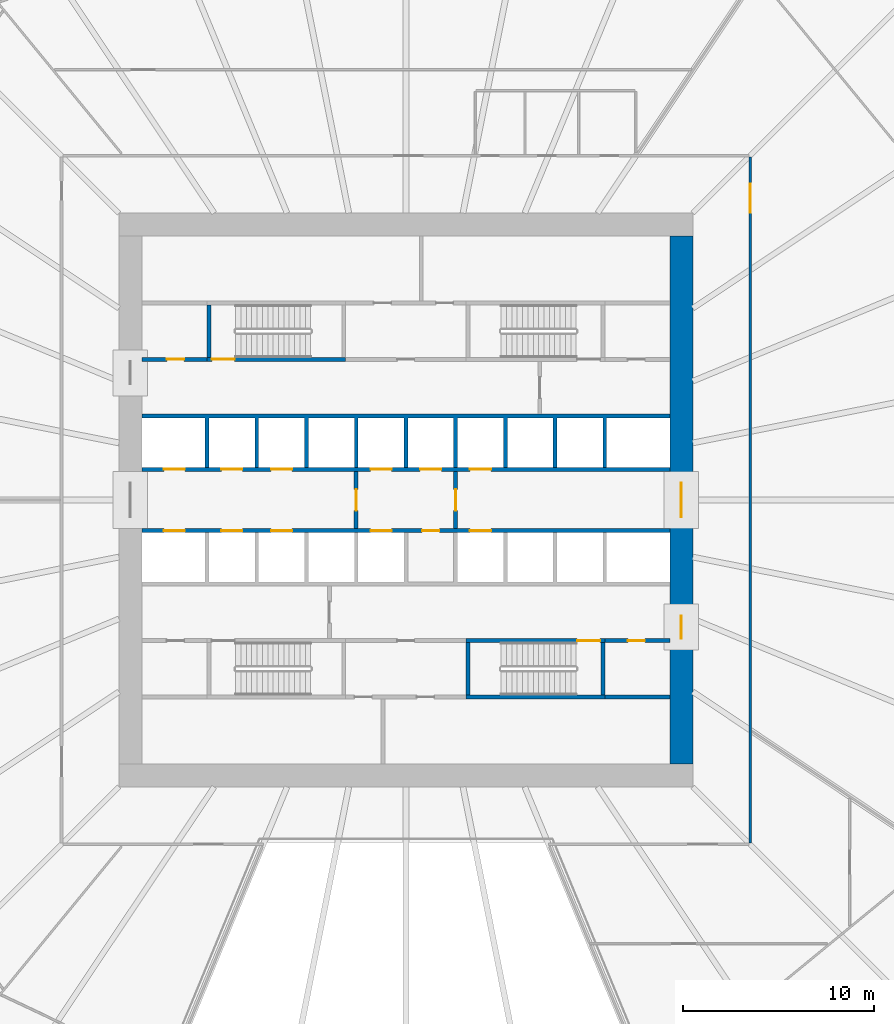
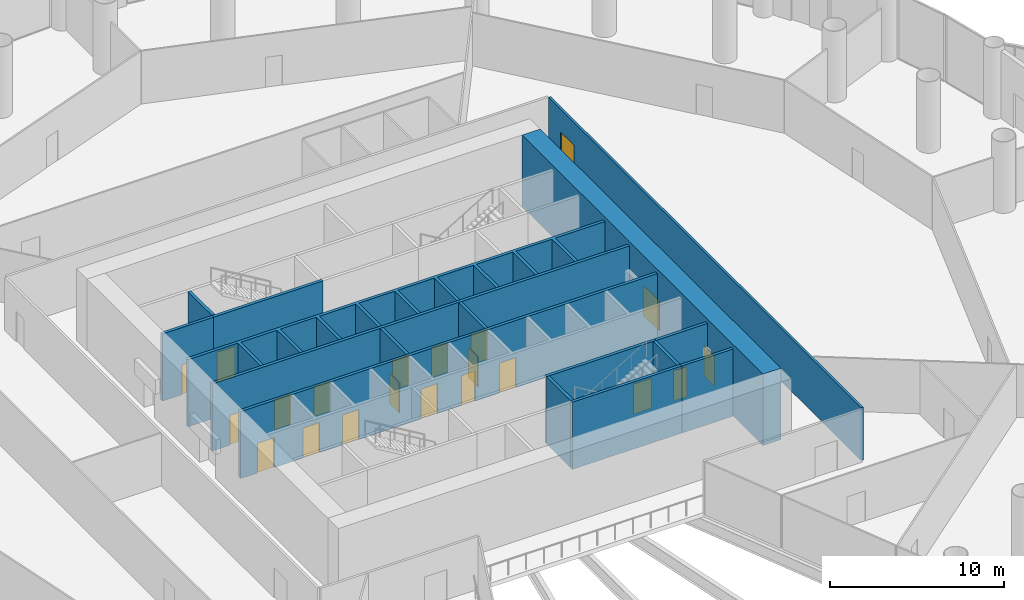
# One storey, part 25 of 36: 21 doors, 16 walls, 21 openings.
"""IFC4 building model written with IfcOpenShell, lengths in metres."""

import ifcopenshell
import ifcopenshell.guid

model = None  # the IFC model being written
_history = None  # IfcOwnerHistory: only IFC2X3 demands one
_inside = {}  # id of a spatial element -> (the spatial element, [elements in it])
_under = {}  # id of a project, library or spatial element -> (it, [spatial elements below it])
_declared = {}  # id of a project -> (the project, [libraries it declares])
_typed = {}  # id of a type object -> (the type object, [elements of that type])
_made_of = {}  # id of a material, layer set ... -> (it, [elements and type objects made of it])


def new_model(schema):
    """Start an empty IFC model of exactly this schema.

    Asked for "IFC4X3", IfcOpenShell would pick the latest addendum, in which some entities
    have other attributes; the version numbers below select the first issue.
    IFC2X3 requires an IfcOwnerHistory on every rooted entity: one is made here for all.
    """
    global model, _history
    if schema == "IFC4X3":
        model = ifcopenshell.file(schema_version=(4, 3, 0, 0))
    else:
        model = ifcopenshell.file(schema=schema)
    _inside.clear()
    _under.clear()
    _declared.clear()
    _typed.clear()
    _made_of.clear()
    _history = None
    if model.schema == "IFC2X3":
        org = make("IfcOrganization", Name="unknown")
        user = make(
            "IfcPersonAndOrganization",
            ThePerson=make("IfcPerson", FamilyName="unknown"),
            TheOrganization=org,
        )
        app = make(
            "IfcApplication",
            ApplicationDeveloper=org,
            Version="unknown",
            ApplicationFullName="unknown",
            ApplicationIdentifier="unknown",
        )
        _history = make(
            "IfcOwnerHistory",
            OwningUser=user,
            OwningApplication=app,
            ChangeAction="ADDED",
            CreationDate=0,
        )
    return model


def make(cls, **values):
    """One entity of the class cls with the attributes given. An attribute that is None is left unset."""
    return model.create_entity(
        cls, **{name: value for name, value in values.items() if value is not None}
    )


def rooted(cls, **values):
    """An entity with a GlobalId (a new one), such as an element, a storey or a relation."""
    return make(cls, GlobalId=ifcopenshell.guid.new(), OwnerHistory=_history, **values)


def si_unit(unit_type, name, prefix=None):
    """IfcSIUnit, for example si_unit("LENGTHUNIT", "METRE", prefix="MILLI")."""
    return make("IfcSIUnit", UnitType=unit_type, Prefix=prefix, Name=name)


def assignment(units):
    """IfcUnitAssignment: the units of a project."""
    return None if units is None else make("IfcUnitAssignment", Units=units)


def point(xyz):
    """IfcCartesianPoint."""
    return None if xyz is None else make("IfcCartesianPoint", Coordinates=xyz)


def direction(xyz):
    """IfcDirection."""
    return None if xyz is None else make("IfcDirection", DirectionRatios=xyz)


def frame(location, z_axis=None, x_axis=None):
    """IfcAxis2Placement3D, a coordinate frame: its origin and axes. An axis left out is left unset."""
    return make(
        "IfcAxis2Placement3D",
        Location=point(location),
        Axis=direction(z_axis),
        RefDirection=direction(x_axis),
    )


def frame_2d(location, x_axis=None):
    """IfcAxis2Placement2D, a coordinate frame in the plane: its origin and x axis."""
    return make(
        "IfcAxis2Placement2D", Location=point(location), RefDirection=direction(x_axis)
    )


def origin():
    """The frame at (0, 0, 0) with its axes left unset."""
    return frame((0.0, 0.0, 0.0))


def place(relative_to, where):
    """IfcLocalPlacement: puts the frame where relative to a parent placement (None: the world)."""
    return make(
        "IfcLocalPlacement", PlacementRelTo=relative_to, RelativePlacement=where
    )


def context(
    kind, dimensions, precision=None, world=None, true_north=None, identifier=None
):
    """IfcGeometricRepresentationContext, for example the 3D "Model" context."""
    return make(
        "IfcGeometricRepresentationContext",
        ContextIdentifier=identifier,
        ContextType=kind,
        CoordinateSpaceDimension=dimensions,
        Precision=precision,
        WorldCoordinateSystem=world,
        TrueNorth=true_north,
    )


def subcontext(parent, identifier, kind, view, scale=None):
    """IfcGeometricRepresentationSubContext, for example "Body" below "Model"."""
    return make(
        "IfcGeometricRepresentationSubContext",
        ContextIdentifier=identifier,
        ContextType=kind,
        ParentContext=parent,
        TargetScale=scale,
        TargetView=view,
    )


def project(units=None, contexts=None):
    """IfcProject with its units and contexts."""
    return rooted(
        "IfcProject",
        Name="project",
        RepresentationContexts=contexts,
        UnitsInContext=assignment(units),
    )


def spatial(cls, under=None, at=None, **own):
    """A site, building, storey or space (cls), placed at a placement, below another one or the project."""
    s = rooted(cls, ObjectPlacement=at, **own)
    if under is not None:
        _under.setdefault(under.id(), (under, []))[1].append(s)
    return s


def polyline(points):
    """IfcPolyline through the points."""
    return make("IfcPolyline", Points=[point(p) for p in points])


def profile(cls, at=None, kind="AREA", **sizes):
    """A parametric profile (cls). Its sizes go by their IFC names, for example OverallWidth=200.0."""
    return make(cls, ProfileType=kind, Position=at, **sizes)


def rectangle(**sizes):
    """IfcRectangleProfileDef."""
    return profile("IfcRectangleProfileDef", **sizes)


def outline(outer, holes=None, kind="AREA"):
    """IfcArbitraryClosedProfileDef: a profile drawn as a closed curve; with holes, ...WithVoids."""
    if holes is None:
        return make("IfcArbitraryClosedProfileDef", ProfileType=kind, OuterCurve=outer)
    return make(
        "IfcArbitraryProfileDefWithVoids",
        ProfileType=kind,
        OuterCurve=outer,
        InnerCurves=holes,
    )


def extrude(swept, where, along, depth):
    """IfcExtrudedAreaSolid: the profile swept, set in the frame where, extruded along a direction by depth."""
    return make(
        "IfcExtrudedAreaSolid",
        SweptArea=swept,
        Position=where,
        ExtrudedDirection=direction(along),
        Depth=depth,
    )


def shape(context_of_items, identifier, shape_type, items):
    """IfcShapeRepresentation: the items that make up one representation, for example the "Body"."""
    return make(
        "IfcShapeRepresentation",
        ContextOfItems=context_of_items,
        RepresentationIdentifier=identifier,
        RepresentationType=shape_type,
        Items=items,
    )


def material(Name=None, Category=None):
    """IfcMaterial."""
    return make("IfcMaterial", Name=Name, Category=Category)


def layer(
    of_material, thickness, ventilated=None, Name=None, Category=None, Priority=None
):
    """IfcMaterialLayer: one layer of a wall or slab, of a material (None: an air gap)."""
    return make(
        "IfcMaterialLayer",
        Material=of_material,
        LayerThickness=thickness,
        IsVentilated=ventilated,
        Name=Name,
        Category=Category,
        Priority=Priority,
    )


def layer_set(layers, Name=None):
    """IfcMaterialLayerSet."""
    return make("IfcMaterialLayerSet", MaterialLayers=layers, LayerSetName=Name)


def made_of(thing, what):
    """Note that an element or type object is made of a material, layer set ...; save() writes the relation."""
    if what is not None:
        _made_of.setdefault(what.id(), (what, []))[1].append(thing)
    return thing


def type_object(cls, material=None, **own):
    """A type object (cls), such as IfcWallType, which elements share."""
    return made_of(rooted(cls, **own), material)


def element(
    cls,
    number,
    at=None,
    inside=None,
    cuts=None,
    type_object=None,
    material=None,
    context=None,
    identifier="Body",
    shape_type=None,
    held_by="IfcProductDefinitionShape",
    body=None,
    shapes=None,
    **own,
):
    """One element of the class cls, such as IfcWall. Its Tag is "e" and its number.

    at: its placement. inside: the storey or other place that contains it. cuts: it is an
    opening in that element (IfcRelVoidsElement). A single representation is given by context,
    identifier, shape_type and body (its items); several are given by shapes. held_by: the class
    of the entity that holds the representations. save() writes the other relations.
    """
    e = rooted(cls, Tag="e%d" % number, ObjectPlacement=at, **own)
    if body is not None:
        shapes = [shape(context, identifier, shape_type, body)]
    if shapes is not None:
        e.Representation = make(held_by, Representations=shapes)
    if inside is not None:
        _inside.setdefault(inside.id(), (inside, []))[1].append(e)
    if cuts is not None:
        rooted(
            "IfcRelVoidsElement", RelatingBuildingElement=cuts, RelatedOpeningElement=e
        )
    if type_object is not None:
        _typed.setdefault(type_object.id(), (type_object, []))[1].append(e)
    return made_of(e, material)


def fill(opening, filler):
    """IfcRelFillsElement: the door or window that sits in an opening."""
    return rooted(
        "IfcRelFillsElement",
        RelatingOpeningElement=opening,
        RelatedBuildingElement=filler,
    )


def aggregate(whole, parts):
    """IfcRelAggregates: a whole, such as a stair, and the parts it consists of."""
    return rooted("IfcRelAggregates", RelatingObject=whole, RelatedObjects=parts)


def save(model, path):
    """Write the relations noted so far, then the file.

    IfcRelAggregates (storeys below a building ...), IfcRelContainedInSpatialStructure (elements
    in a storey), IfcRelDefinesByType, IfcRelAssociatesMaterial and IfcRelDeclares: one each for
    every whole, place, type object, material and project.
    """
    for whole, parts in _under.values():
        aggregate(whole, parts)
    for where, things in _inside.values():
        rooted(
            "IfcRelContainedInSpatialStructure",
            RelatedElements=things,
            RelatingStructure=where,
        )
    for kind, things in _typed.values():
        rooted("IfcRelDefinesByType", RelatedObjects=things, RelatingType=kind)
    for what, things in _made_of.values():
        rooted("IfcRelAssociatesMaterial", RelatedObjects=things, RelatingMaterial=what)
    for by, libraries in _declared.values():
        rooted("IfcRelDeclares", RelatingContext=by, RelatedDefinitions=libraries)
    model.write(path)


model = new_model("IFC4")

# Units and contexts
model_context = context("Model", 3, precision=1e-05, world=origin(), true_north=direction((0.0, 1.0)))
body_context = subcontext(model_context, "Body", "Model", "MODEL_VIEW")
ifc_project = project(units=[si_unit("LENGTHUNIT", "METRE"), si_unit("AREAUNIT", "SQUARE_METRE"), si_unit("VOLUMEUNIT", "CUBIC_METRE"), si_unit("PLANEANGLEUNIT", "RADIAN"), si_unit("MASSUNIT", "GRAM", prefix="KILO")], contexts=[model_context])

# Site, building, storey
site_placement = place(None, origin())
site = spatial("IfcSite", under=ifc_project, at=site_placement, CompositionType="ELEMENT")
building_placement = place(site_placement, origin())
building = spatial("IfcBuilding", under=site, at=building_placement, Name="Corvane Civic Tower", CompositionType="ELEMENT")
storey_placement = place(building_placement, frame((0.0, 0.0, 17.0)))
storey = spatial("IfcBuildingStorey", under=building, at=storey_placement, Name="L03", CompositionType="ELEMENT", Elevation=17.0)

# Wall, openings, doors
ifc_material_1 = material(Name="Concrete C80/95", Category="concrete")
ifc_layer_1 = layer(ifc_material_1, 1.199951171875)
ifc_layer_set_1 = layer_set([ifc_layer_1], Name="Concrete C80/95")
wall_type_1 = type_object("IfcWallType", Name="CORE WALL 1200 C80/95", PredefinedType="SHEAR", material=ifc_layer_set_1)
wall_1_placement = place(storey_placement, frame((14.39990234375, -13.800048828125, 0.0), z_axis=(0.0, 0.0, 1.0), x_axis=(0.0, 1.0, 0.0)))
wall_1 = element("IfcWall", 1, at=wall_1_placement, inside=storey, type_object=wall_type_1, Name="W-L03-core-E", PredefinedType="SHEAR", context=body_context, shape_type="SweptSolid", body=[
    extrude(rectangle(XDim=27.60009765625, YDim=1.199951171875, at=frame_2d((13.800048828125, 0.0))), origin(), (0.0, 0.0, 1.0), 5.0),
])
opening_1_placement = place(wall_1_placement, frame((12.89990234375, 0.0, 0.0)))
opening_1 = element("IfcOpeningElement", 2, at=opening_1_placement, cuts=wall_1, Name="Opening L03.C21", PredefinedType="OPENING", context=body_context, shape_type="SweptSolid", body=[
    extrude(rectangle(XDim=1.800048828125, YDim=2.10009765625, at=frame_2d((0.89990234375, 1.050048828125))), frame((0.0, 0.60986328125, 0.0), z_axis=(0.0, -1.0, 0.0), x_axis=(1.0, 0.0, 0.0)), (0.0, 0.0, 1.0), 1.219970703125),
])
opening_2_placement = place(wall_1_placement, frame((6.550048828125, 0.0, 0.0)))
opening_2 = element("IfcOpeningElement", 3, at=opening_2_placement, cuts=wall_1, Name="Opening L03.C23", PredefinedType="OPENING", context=body_context, shape_type="SweptSolid", body=[
    extrude(rectangle(XDim=1.199951171875, YDim=2.10009765625, at=frame_2d((0.60009765625, 1.050048828125))), frame((0.0, 0.60986328125, 0.0), z_axis=(0.0, -1.0, 0.0), x_axis=(1.0, 0.0, 0.0)), (0.0, 0.0, 1.0), 1.219970703125),
])
ifc_material_2 = material(Name="Steel fire door leaf", Category="steel")
door_type_1 = type_object("IfcDoorType", Name="CR-DOOR-CORE-1800", OperationType="DOUBLE_DOOR_SINGLE_SWING", PredefinedType="DOOR", material=ifc_material_2)
door_1_placement = place(opening_1_placement, origin())
door_1 = element("IfcDoor", 4, at=door_1_placement, inside=storey, type_object=door_type_1, Name="L03 door", OperationType="DOUBLE_DOOR_SINGLE_SWING", OverallHeight=2.10009765625, OverallWidth=1.800048828125, PredefinedType="DOOR", context=body_context, shape_type="SweptSolid", body=[
    extrude(rectangle(XDim=1.800048828125, YDim=2.10009765625, at=frame_2d((0.89990234375, 1.050048828125))), frame((0.0, 0.02490234375, 0.0), z_axis=(0.0, -1.0, 0.0), x_axis=(1.0, 0.0, 0.0)), (0.0, 0.0, 1.0), 0.050048828125),
])
fill(opening_1, door_1)
door_2_placement = place(opening_2_placement, origin())
door_2 = element("IfcDoor", 5, at=door_2_placement, inside=storey, type_object=door_type_1, Name="L03 door", OperationType="DOUBLE_DOOR_SINGLE_SWING", OverallHeight=2.10009765625, OverallWidth=1.199951171875, PredefinedType="DOOR", context=body_context, shape_type="SweptSolid", body=[
    extrude(rectangle(XDim=1.199951171875, YDim=2.10009765625, at=frame_2d((0.60009765625, 1.050048828125))), frame((0.0, 0.02490234375, 0.0), z_axis=(0.0, -1.0, 0.0), x_axis=(1.0, 0.0, 0.0)), (0.0, 0.0, 1.0), 0.050048828125),
])
fill(opening_2, door_2)

# Wall, opening, door
ifc_material_3 = material(Name="Concrete C30/37", Category="concrete")
ifc_layer_2 = layer(ifc_material_3, 0.199951171875)
ifc_layer_set_2 = layer_set([ifc_layer_2], Name="Concrete C30/37")
wall_type_2 = type_object("IfcWallType", Name="CR-WALL-200", PredefinedType="PARTITIONING", material=ifc_layer_set_2)
wall_2_placement = place(storey_placement, frame((10.39990234375, -7.35009765625, 0.0), z_axis=(0.0, 0.0, 1.0), x_axis=(1.0, 0.0, 0.0)))
wall_2 = element("IfcWall", 6, at=wall_2_placement, inside=storey, type_object=wall_type_2, Name="L03 core partition wall", PredefinedType="PARTITIONING", context=body_context, shape_type="SweptSolid", body=[
    extrude(rectangle(XDim=3.400146484375, YDim=0.199951171875, at=frame_2d((1.7001953125, 0.0))), origin(), (0.0, 0.0, 1.0), 4.699951171875),
])
opening_3_placement = place(wall_2_placement, frame((1.199951171875, 0.0, 0.0)))
opening_3 = element("IfcOpeningElement", 7, at=opening_3_placement, cuts=wall_2, Name="Opening L03.C11", PredefinedType="OPENING", context=body_context, shape_type="SweptSolid", body=[
    extrude(rectangle(XDim=0.89990234375, YDim=2.10009765625, at=frame_2d((0.449951171875, 1.050048828125))), frame((0.0, 0.10986328125, 0.0), z_axis=(0.0, -1.0, 0.0), x_axis=(1.0, 0.0, 0.0)), (0.0, 0.0, 1.0), 0.219970703125),
])
ifc_material_4 = material(Name="Steel fire door leaf", Category="steel")
door_type_2 = type_object("IfcDoorType", Name="CR-DOOR-900", OperationType="SINGLE_SWING_LEFT", PredefinedType="DOOR", material=ifc_material_4)
door_3_placement = place(opening_3_placement, origin())
door_3 = element("IfcDoor", 8, at=door_3_placement, inside=storey, type_object=door_type_2, Name="L03 door", OperationType="SINGLE_SWING_LEFT", OverallHeight=2.10009765625, OverallWidth=0.89990234375, PredefinedType="DOOR", context=body_context, shape_type="SweptSolid", body=[
    extrude(rectangle(XDim=0.89990234375, YDim=2.10009765625, at=frame_2d((0.449951171875, 1.050048828125))), frame((0.0, 0.02490234375, 0.0), z_axis=(0.0, -1.0, 0.0), x_axis=(1.0, 0.0, 0.0)), (0.0, 0.0, 1.0), 0.050048828125),
])
fill(opening_3, door_3)

# Wall, openings, doors
wall_3_placement = place(storey_placement, frame((-13.800048828125, -1.60009765625, 0.0), z_axis=(0.0, 0.0, 1.0), x_axis=(1.0, 0.0, 0.0)))
wall_3 = element("IfcWall", 9, at=wall_3_placement, inside=storey, type_object=wall_type_2, Name="L03 lift shaft wall", PredefinedType="PARTITIONING", context=body_context, shape_type="SweptSolid", body=[
    extrude(rectangle(XDim=27.60009765625, YDim=0.199951171875, at=frame_2d((13.800048828125, 0.0))), origin(), (0.0, 0.0, 1.0), 4.699951171875),
])
opening_4_placement = place(wall_3_placement, frame((1.14990234375, 0.0, 0.0)))
opening_4 = element("IfcOpeningElement", 10, at=opening_4_placement, cuts=wall_3, Name="Opening LD", PredefinedType="OPENING", context=body_context, shape_type="SweptSolid", body=[
    extrude(rectangle(XDim=1.10009765625, YDim=2.10009765625, at=frame_2d((0.550048828125, 1.050048828125))), frame((0.0, 0.10986328125, 0.0), z_axis=(0.0, -1.0, 0.0), x_axis=(1.0, 0.0, 0.0)), (0.0, 0.0, 1.0), 0.219970703125),
])
opening_5_placement = place(wall_3_placement, frame((4.14990234375, 0.0, 0.0)))
opening_5 = element("IfcOpeningElement", 11, at=opening_5_placement, cuts=wall_3, Name="Opening LD", PredefinedType="OPENING", context=body_context, shape_type="SweptSolid", body=[
    extrude(rectangle(XDim=1.10009765625, YDim=2.10009765625, at=frame_2d((0.550048828125, 1.050048828125))), frame((0.0, 0.10986328125, 0.0), z_axis=(0.0, -1.0, 0.0), x_axis=(1.0, 0.0, 0.0)), (0.0, 0.0, 1.0), 0.219970703125),
])
opening_6_placement = place(wall_3_placement, frame((6.75, 0.0, 0.0)))
opening_6 = element("IfcOpeningElement", 12, at=opening_6_placement, cuts=wall_3, Name="Opening LD", PredefinedType="OPENING", context=body_context, shape_type="SweptSolid", body=[
    extrude(rectangle(XDim=1.10009765625, YDim=2.10009765625, at=frame_2d((0.550048828125, 1.050048828125))), frame((0.0, 0.10986328125, 0.0), z_axis=(0.0, -1.0, 0.0), x_axis=(1.0, 0.0, 0.0)), (0.0, 0.0, 1.0), 0.219970703125),
])
opening_7_placement = place(wall_3_placement, frame((11.949951171875, 0.0, 0.0)))
opening_7 = element("IfcOpeningElement", 13, at=opening_7_placement, cuts=wall_3, Name="Opening LD", PredefinedType="OPENING", context=body_context, shape_type="SweptSolid", body=[
    extrude(rectangle(XDim=1.10009765625, YDim=2.10009765625, at=frame_2d((0.550048828125, 1.050048828125))), frame((0.0, 0.10986328125, 0.0), z_axis=(0.0, -1.0, 0.0), x_axis=(1.0, 0.0, 0.0)), (0.0, 0.0, 1.0), 0.219970703125),
])
opening_8_placement = place(wall_3_placement, frame((14.64990234375, 0.0, 0.0)))
opening_8 = element("IfcOpeningElement", 14, at=opening_8_placement, cuts=wall_3, Name="Opening L03.C01", PredefinedType="OPENING", context=body_context, shape_type="SweptSolid", body=[
    extrude(rectangle(XDim=0.89990234375, YDim=2.10009765625, at=frame_2d((0.449951171875, 1.050048828125))), frame((0.0, 0.10986328125, 0.0), z_axis=(0.0, -1.0, 0.0), x_axis=(1.0, 0.0, 0.0)), (0.0, 0.0, 1.0), 0.219970703125),
])
opening_9_placement = place(wall_3_placement, frame((17.14990234375, 0.0, 0.0)))
opening_9 = element("IfcOpeningElement", 15, at=opening_9_placement, cuts=wall_3, Name="Opening LD", PredefinedType="OPENING", context=body_context, shape_type="SweptSolid", body=[
    extrude(rectangle(XDim=1.10009765625, YDim=2.10009765625, at=frame_2d((0.550048828125, 1.050048828125))), frame((0.0, 0.10986328125, 0.0), z_axis=(0.0, -1.0, 0.0), x_axis=(1.0, 0.0, 0.0)), (0.0, 0.0, 1.0), 0.219970703125),
])
door_4_placement = place(opening_8_placement, origin())
door_4 = element("IfcDoor", 16, at=door_4_placement, inside=storey, type_object=door_type_2, Name="L03 door", OperationType="SINGLE_SWING_LEFT", OverallHeight=2.10009765625, OverallWidth=0.89990234375, PredefinedType="DOOR", context=body_context, shape_type="SweptSolid", body=[
    extrude(rectangle(XDim=0.89990234375, YDim=2.10009765625, at=frame_2d((0.449951171875, 1.050048828125))), frame((0.0, 0.02490234375, 0.0), z_axis=(0.0, -1.0, 0.0), x_axis=(1.0, 0.0, 0.0)), (0.0, 0.0, 1.0), 0.050048828125),
])
fill(opening_8, door_4)
ifc_material_5 = material(Name="Stainless steel 316 door leaves", Category="steel")
door_type_3 = type_object("IfcDoorType", Name="LD", OperationType="DOUBLE_DOOR_SLIDING", PredefinedType="DOOR", material=ifc_material_5)
door_5_placement = place(opening_4_placement, origin())
door_5 = element("IfcDoor", 17, at=door_5_placement, inside=storey, type_object=door_type_3, Name="L03 landing door", OperationType="DOUBLE_DOOR_SLIDING", OverallHeight=2.10009765625, OverallWidth=1.10009765625, PredefinedType="DOOR", context=body_context, shape_type="SweptSolid", body=[
    extrude(rectangle(XDim=1.10009765625, YDim=2.10009765625, at=frame_2d((0.550048828125, 1.050048828125))), frame((0.0, 0.02490234375, 0.0), z_axis=(0.0, -1.0, 0.0), x_axis=(1.0, 0.0, 0.0)), (0.0, 0.0, 1.0), 0.050048828125),
])
fill(opening_4, door_5)
door_6_placement = place(opening_5_placement, origin())
door_6 = element("IfcDoor", 18, at=door_6_placement, inside=storey, type_object=door_type_3, Name="L03 landing door", OperationType="DOUBLE_DOOR_SLIDING", OverallHeight=2.10009765625, OverallWidth=1.10009765625, PredefinedType="DOOR", context=body_context, shape_type="SweptSolid", body=[
    extrude(rectangle(XDim=1.10009765625, YDim=2.10009765625, at=frame_2d((0.550048828125, 1.050048828125))), frame((0.0, 0.02490234375, 0.0), z_axis=(0.0, -1.0, 0.0), x_axis=(1.0, 0.0, 0.0)), (0.0, 0.0, 1.0), 0.050048828125),
])
fill(opening_5, door_6)
door_7_placement = place(opening_6_placement, origin())
door_7 = element("IfcDoor", 19, at=door_7_placement, inside=storey, type_object=door_type_3, Name="L03 landing door", OperationType="DOUBLE_DOOR_SLIDING", OverallHeight=2.10009765625, OverallWidth=1.10009765625, PredefinedType="DOOR", context=body_context, shape_type="SweptSolid", body=[
    extrude(rectangle(XDim=1.10009765625, YDim=2.10009765625, at=frame_2d((0.550048828125, 1.050048828125))), frame((0.0, 0.02490234375, 0.0), z_axis=(0.0, -1.0, 0.0), x_axis=(1.0, 0.0, 0.0)), (0.0, 0.0, 1.0), 0.050048828125),
])
fill(opening_6, door_7)
door_8_placement = place(opening_7_placement, origin())
door_8 = element("IfcDoor", 20, at=door_8_placement, inside=storey, type_object=door_type_3, Name="L03 landing door", OperationType="DOUBLE_DOOR_SLIDING", OverallHeight=2.10009765625, OverallWidth=1.10009765625, PredefinedType="DOOR", context=body_context, shape_type="SweptSolid", body=[
    extrude(rectangle(XDim=1.10009765625, YDim=2.10009765625, at=frame_2d((0.550048828125, 1.050048828125))), frame((0.0, 0.02490234375, 0.0), z_axis=(0.0, -1.0, 0.0), x_axis=(1.0, 0.0, 0.0)), (0.0, 0.0, 1.0), 0.050048828125),
])
fill(opening_7, door_8)
door_9_placement = place(opening_9_placement, origin())
door_9 = element("IfcDoor", 21, at=door_9_placement, inside=storey, type_object=door_type_3, Name="L03 landing door", OperationType="DOUBLE_DOOR_SLIDING", OverallHeight=2.10009765625, OverallWidth=1.10009765625, PredefinedType="DOOR", context=body_context, shape_type="SweptSolid", body=[
    extrude(rectangle(XDim=1.10009765625, YDim=2.10009765625, at=frame_2d((0.550048828125, 1.050048828125))), frame((0.0, 0.02490234375, 0.0), z_axis=(0.0, -1.0, 0.0), x_axis=(1.0, 0.0, 0.0)), (0.0, 0.0, 1.0), 0.050048828125),
])
fill(opening_9, door_9)

wall_4_placement = place(storey_placement, frame((-13.800048828125, 1.60009765625, 0.0), z_axis=(0.0, 0.0, 1.0), x_axis=(1.0, 0.0, 0.0)))
wall_4 = element("IfcWall", 22, at=wall_4_placement, inside=storey, type_object=wall_type_2, Name="L03 lift shaft wall", PredefinedType="PARTITIONING", context=body_context, shape_type="SweptSolid", body=[
    extrude(rectangle(XDim=27.60009765625, YDim=0.199951171875, at=frame_2d((13.800048828125, 0.0))), origin(), (0.0, 0.0, 1.0), 4.699951171875),
])
opening_10_placement = place(wall_4_placement, frame((1.14990234375, 0.0, 0.0)))
opening_10 = element("IfcOpeningElement", 23, at=opening_10_placement, cuts=wall_4, Name="Opening LD", PredefinedType="OPENING", context=body_context, shape_type="SweptSolid", body=[
    extrude(rectangle(XDim=1.10009765625, YDim=2.10009765625, at=frame_2d((0.550048828125, 1.050048828125))), frame((0.0, 0.10986328125, 0.0), z_axis=(0.0, -1.0, 0.0), x_axis=(1.0, 0.0, 0.0)), (0.0, 0.0, 1.0), 0.219970703125),
])
opening_11_placement = place(wall_4_placement, frame((4.14990234375, 0.0, 0.0)))
opening_11 = element("IfcOpeningElement", 24, at=opening_11_placement, cuts=wall_4, Name="Opening LD", PredefinedType="OPENING", context=body_context, shape_type="SweptSolid", body=[
    extrude(rectangle(XDim=1.10009765625, YDim=2.10009765625, at=frame_2d((0.550048828125, 1.050048828125))), frame((0.0, 0.10986328125, 0.0), z_axis=(0.0, -1.0, 0.0), x_axis=(1.0, 0.0, 0.0)), (0.0, 0.0, 1.0), 0.219970703125),
])
opening_12_placement = place(wall_4_placement, frame((6.75, 0.0, 0.0)))
opening_12 = element("IfcOpeningElement", 25, at=opening_12_placement, cuts=wall_4, Name="Opening LD", PredefinedType="OPENING", context=body_context, shape_type="SweptSolid", body=[
    extrude(rectangle(XDim=1.10009765625, YDim=2.10009765625, at=frame_2d((0.550048828125, 1.050048828125))), frame((0.0, 0.10986328125, 0.0), z_axis=(0.0, -1.0, 0.0), x_axis=(1.0, 0.0, 0.0)), (0.0, 0.0, 1.0), 0.219970703125),
])
opening_13_placement = place(wall_4_placement, frame((11.949951171875, 0.0, 0.0)))
opening_13 = element("IfcOpeningElement", 26, at=opening_13_placement, cuts=wall_4, Name="Opening LD", PredefinedType="OPENING", context=body_context, shape_type="SweptSolid", body=[
    extrude(rectangle(XDim=1.10009765625, YDim=2.10009765625, at=frame_2d((0.550048828125, 1.050048828125))), frame((0.0, 0.10986328125, 0.0), z_axis=(0.0, -1.0, 0.0), x_axis=(1.0, 0.0, 0.0)), (0.0, 0.0, 1.0), 0.219970703125),
])
opening_14_placement = place(wall_4_placement, frame((14.550048828125, 0.0, 0.0)))
opening_14 = element("IfcOpeningElement", 27, at=opening_14_placement, cuts=wall_4, Name="Opening LD", PredefinedType="OPENING", context=body_context, shape_type="SweptSolid", body=[
    extrude(rectangle(XDim=1.10009765625, YDim=2.10009765625, at=frame_2d((0.550048828125, 1.050048828125))), frame((0.0, 0.10986328125, 0.0), z_axis=(0.0, -1.0, 0.0), x_axis=(1.0, 0.0, 0.0)), (0.0, 0.0, 1.0), 0.219970703125),
])
opening_15_placement = place(wall_4_placement, frame((17.14990234375, 0.0, 0.0)))
opening_15 = element("IfcOpeningElement", 28, at=opening_15_placement, cuts=wall_4, Name="Opening LD", PredefinedType="OPENING", context=body_context, shape_type="SweptSolid", body=[
    extrude(rectangle(XDim=1.10009765625, YDim=2.10009765625, at=frame_2d((0.550048828125, 1.050048828125))), frame((0.0, 0.10986328125, 0.0), z_axis=(0.0, -1.0, 0.0), x_axis=(1.0, 0.0, 0.0)), (0.0, 0.0, 1.0), 0.219970703125),
])
door_10_placement = place(opening_10_placement, origin())
door_10 = element("IfcDoor", 29, at=door_10_placement, inside=storey, type_object=door_type_3, Name="L03 landing door", OperationType="DOUBLE_DOOR_SLIDING", OverallHeight=2.10009765625, OverallWidth=1.10009765625, PredefinedType="DOOR", context=body_context, shape_type="SweptSolid", body=[
    extrude(rectangle(XDim=1.10009765625, YDim=2.10009765625, at=frame_2d((0.550048828125, 1.050048828125))), frame((0.0, 0.02490234375, 0.0), z_axis=(0.0, -1.0, 0.0), x_axis=(1.0, 0.0, 0.0)), (0.0, 0.0, 1.0), 0.050048828125),
])
fill(opening_10, door_10)
door_11_placement = place(opening_11_placement, origin())
door_11 = element("IfcDoor", 30, at=door_11_placement, inside=storey, type_object=door_type_3, Name="L03 landing door", OperationType="DOUBLE_DOOR_SLIDING", OverallHeight=2.10009765625, OverallWidth=1.10009765625, PredefinedType="DOOR", context=body_context, shape_type="SweptSolid", body=[
    extrude(rectangle(XDim=1.10009765625, YDim=2.10009765625, at=frame_2d((0.550048828125, 1.050048828125))), frame((0.0, 0.02490234375, 0.0), z_axis=(0.0, -1.0, 0.0), x_axis=(1.0, 0.0, 0.0)), (0.0, 0.0, 1.0), 0.050048828125),
])
fill(opening_11, door_11)
door_12_placement = place(opening_12_placement, origin())
door_12 = element("IfcDoor", 31, at=door_12_placement, inside=storey, type_object=door_type_3, Name="L03 landing door", OperationType="DOUBLE_DOOR_SLIDING", OverallHeight=2.10009765625, OverallWidth=1.10009765625, PredefinedType="DOOR", context=body_context, shape_type="SweptSolid", body=[
    extrude(rectangle(XDim=1.10009765625, YDim=2.10009765625, at=frame_2d((0.550048828125, 1.050048828125))), frame((0.0, 0.02490234375, 0.0), z_axis=(0.0, -1.0, 0.0), x_axis=(1.0, 0.0, 0.0)), (0.0, 0.0, 1.0), 0.050048828125),
])
fill(opening_12, door_12)
door_13_placement = place(opening_13_placement, origin())
door_13 = element("IfcDoor", 32, at=door_13_placement, inside=storey, type_object=door_type_3, Name="L03 landing door", OperationType="DOUBLE_DOOR_SLIDING", OverallHeight=2.10009765625, OverallWidth=1.10009765625, PredefinedType="DOOR", context=body_context, shape_type="SweptSolid", body=[
    extrude(rectangle(XDim=1.10009765625, YDim=2.10009765625, at=frame_2d((0.550048828125, 1.050048828125))), frame((0.0, 0.02490234375, 0.0), z_axis=(0.0, -1.0, 0.0), x_axis=(1.0, 0.0, 0.0)), (0.0, 0.0, 1.0), 0.050048828125),
])
fill(opening_13, door_13)
door_14_placement = place(opening_14_placement, origin())
door_14 = element("IfcDoor", 33, at=door_14_placement, inside=storey, type_object=door_type_3, Name="L03 landing door", OperationType="DOUBLE_DOOR_SLIDING", OverallHeight=2.10009765625, OverallWidth=1.10009765625, PredefinedType="DOOR", context=body_context, shape_type="SweptSolid", body=[
    extrude(rectangle(XDim=1.10009765625, YDim=2.10009765625, at=frame_2d((0.550048828125, 1.050048828125))), frame((0.0, 0.02490234375, 0.0), z_axis=(0.0, -1.0, 0.0), x_axis=(1.0, 0.0, 0.0)), (0.0, 0.0, 1.0), 0.050048828125),
])
fill(opening_14, door_14)
door_15_placement = place(opening_15_placement, origin())
door_15 = element("IfcDoor", 34, at=door_15_placement, inside=storey, type_object=door_type_3, Name="L03 landing door", OperationType="DOUBLE_DOOR_SLIDING", OverallHeight=2.10009765625, OverallWidth=1.10009765625, PredefinedType="DOOR", context=body_context, shape_type="SweptSolid", body=[
    extrude(rectangle(XDim=1.10009765625, YDim=2.10009765625, at=frame_2d((0.550048828125, 1.050048828125))), frame((0.0, 0.02490234375, 0.0), z_axis=(0.0, -1.0, 0.0), x_axis=(1.0, 0.0, 0.0)), (0.0, 0.0, 1.0), 0.050048828125),
])
fill(opening_15, door_15)

# Wall, opening, door
wall_5_placement = place(storey_placement, frame((-13.800048828125, 7.35009765625, 0.0), z_axis=(0.0, 0.0, 1.0), x_axis=(1.0, 0.0, 0.0)))
wall_5 = element("IfcWall", 35, at=wall_5_placement, inside=storey, type_object=wall_type_2, Name="L03 core partition wall", PredefinedType="PARTITIONING", context=body_context, shape_type="SweptSolid", body=[
    extrude(rectangle(XDim=3.400146484375, YDim=0.199951171875, at=frame_2d((1.7001953125, 0.0))), origin(), (0.0, 0.0, 1.0), 4.699951171875),
])
opening_16_placement = place(wall_5_placement, frame((1.300048828125, 0.0, 0.0)))
opening_16 = element("IfcOpeningElement", 36, at=opening_16_placement, cuts=wall_5, Name="Opening L03.C08", PredefinedType="OPENING", context=body_context, shape_type="SweptSolid", body=[
    extrude(rectangle(XDim=0.89990234375, YDim=2.10009765625, at=frame_2d((0.449951171875, 1.050048828125))), frame((0.0, 0.10986328125, 0.0), z_axis=(0.0, -1.0, 0.0), x_axis=(1.0, 0.0, 0.0)), (0.0, 0.0, 1.0), 0.219970703125),
])
door_16_placement = place(opening_16_placement, origin())
door_16 = element("IfcDoor", 37, at=door_16_placement, inside=storey, type_object=door_type_2, Name="L03 door", OperationType="SINGLE_SWING_LEFT", OverallHeight=2.10009765625, OverallWidth=0.89990234375, PredefinedType="DOOR", context=body_context, shape_type="SweptSolid", body=[
    extrude(rectangle(XDim=0.89990234375, YDim=2.10009765625, at=frame_2d((0.449951171875, 1.050048828125))), frame((0.0, 0.02490234375, 0.0), z_axis=(0.0, -1.0, 0.0), x_axis=(1.0, 0.0, 0.0)), (0.0, 0.0, 1.0), 0.050048828125),
])
fill(opening_16, door_16)

wall_6_placement = place(storey_placement, frame((-2.60009765625, -1.5, 0.0), z_axis=(0.0, 0.0, 1.0), x_axis=(0.0, 1.0, 0.0)))
wall_6 = element("IfcWall", 38, at=wall_6_placement, inside=storey, type_object=wall_type_2, Name="L03 firefighting lobby wall", PredefinedType="PARTITIONING", context=body_context, shape_type="SweptSolid", body=[
    extrude(rectangle(XDim=3.0, YDim=0.199951171875, at=frame_2d((1.5, 0.0))), origin(), (0.0, 0.0, 1.0), 4.699951171875),
])
opening_17_placement = place(wall_6_placement, frame((0.949951171875, 0.0, 0.0)))
opening_17 = element("IfcOpeningElement", 39, at=opening_17_placement, cuts=wall_6, Name="Opening L03.C16", PredefinedType="OPENING", context=body_context, shape_type="SweptSolid", body=[
    extrude(rectangle(XDim=1.10009765625, YDim=2.10009765625, at=frame_2d((0.550048828125, 1.050048828125))), frame((0.0, 0.10986328125, 0.0), z_axis=(0.0, -1.0, 0.0), x_axis=(1.0, 0.0, 0.0)), (0.0, 0.0, 1.0), 0.219970703125),
])
ifc_material_6 = material(Name="Steel fire door leaf", Category="steel")
door_type_4 = type_object("IfcDoorType", Name="CR-DOOR-FFL-1100", OperationType="SINGLE_SWING_LEFT", PredefinedType="DOOR", material=ifc_material_6)
door_17_placement = place(opening_17_placement, origin())
door_17 = element("IfcDoor", 40, at=door_17_placement, inside=storey, type_object=door_type_4, Name="L03 lobby door", OperationType="SINGLE_SWING_LEFT", OverallHeight=2.10009765625, OverallWidth=1.10009765625, PredefinedType="DOOR", context=body_context, shape_type="SweptSolid", body=[
    extrude(rectangle(XDim=1.10009765625, YDim=2.10009765625, at=frame_2d((0.550048828125, 1.050048828125))), frame((0.0, 0.02490234375, 0.0), z_axis=(0.0, -1.0, 0.0), x_axis=(1.0, 0.0, 0.0)), (0.0, 0.0, 1.0), 0.050048828125),
])
fill(opening_17, door_17)

wall_7_placement = place(storey_placement, frame((2.60009765625, -1.5, 0.0), z_axis=(0.0, 0.0, 1.0), x_axis=(0.0, 1.0, 0.0)))
wall_7 = element("IfcWall", 41, at=wall_7_placement, inside=storey, type_object=wall_type_2, Name="L03 firefighting lobby wall", PredefinedType="PARTITIONING", context=body_context, shape_type="SweptSolid", body=[
    extrude(rectangle(XDim=3.0, YDim=0.199951171875, at=frame_2d((1.5, 0.0))), origin(), (0.0, 0.0, 1.0), 4.699951171875),
])
opening_18_placement = place(wall_7_placement, frame((0.949951171875, 0.0, 0.0)))
opening_18 = element("IfcOpeningElement", 42, at=opening_18_placement, cuts=wall_7, Name="Opening L03.C17", PredefinedType="OPENING", context=body_context, shape_type="SweptSolid", body=[
    extrude(rectangle(XDim=1.10009765625, YDim=2.10009765625, at=frame_2d((0.550048828125, 1.050048828125))), frame((0.0, 0.10986328125, 0.0), z_axis=(0.0, -1.0, 0.0), x_axis=(1.0, 0.0, 0.0)), (0.0, 0.0, 1.0), 0.219970703125),
])
door_18_placement = place(opening_18_placement, origin())
door_18 = element("IfcDoor", 43, at=door_18_placement, inside=storey, type_object=door_type_4, Name="L03 lobby door", OperationType="SINGLE_SWING_LEFT", OverallHeight=2.10009765625, OverallWidth=1.10009765625, PredefinedType="DOOR", context=body_context, shape_type="SweptSolid", body=[
    extrude(rectangle(XDim=1.10009765625, YDim=2.10009765625, at=frame_2d((0.550048828125, 1.050048828125))), frame((0.0, 0.02490234375, 0.0), z_axis=(0.0, -1.0, 0.0), x_axis=(1.0, 0.0, 0.0)), (0.0, 0.0, 1.0), 0.050048828125),
])
fill(opening_18, door_18)

# Walls
wall_8_placement = place(storey_placement, origin())
element("IfcWall", 44, at=wall_8_placement, inside=storey, type_object=wall_type_2, Name="L03 core partition wall", PredefinedType="PARTITIONING", context=body_context, shape_type="SweptSolid", body=[
    extrude(outline(polyline([(-5.10009765625, 4.300048828125), (-5.10009765625, 1.699951171875), (-5.300048828125, 1.699951171875), (-5.300048828125, 4.300048828125), (-7.699951171875, 4.300048828125), (-7.699951171875, 1.699951171875), (-7.89990234375, 1.699951171875), (-7.89990234375, 4.300048828125), (-10.300048828125, 4.300048828125), (-10.300048828125, 1.699951171875), (-10.5, 1.699951171875), (-10.5, 4.300048828125), (-13.800048828125, 4.300048828125), (-13.800048828125, 4.5), (13.800048828125, 4.5), (13.800048828125, 4.300048828125), (10.5, 4.300048828125), (10.5, 1.699951171875), (10.300048828125, 1.699951171875), (10.300048828125, 4.300048828125), (7.89990234375, 4.300048828125), (7.89990234375, 1.699951171875), (7.699951171875, 1.699951171875), (7.699951171875, 4.300048828125), (5.300048828125, 4.300048828125), (5.300048828125, 1.699951171875), (5.10009765625, 1.699951171875), (5.10009765625, 4.300048828125), (2.699951171875, 4.300048828125), (2.699951171875, 1.699951171875), (2.5, 1.699951171875), (2.5, 4.300048828125), (0.10009765625, 4.300048828125), (0.10009765625, 1.699951171875), (-0.10009765625, 1.699951171875), (-0.10009765625, 4.300048828125), (-2.5, 4.300048828125), (-2.5, 1.699951171875), (-2.699951171875, 1.699951171875), (-2.699951171875, 4.300048828125), (-5.10009765625, 4.300048828125)])), origin(), (0.0, 0.0, 1.0), 4.699951171875),
])
wall_9_placement = place(storey_placement, origin())
element("IfcWall", 45, at=wall_9_placement, inside=storey, type_object=wall_type_2, Name="L03 core partition wall", PredefinedType="PARTITIONING", context=body_context, shape_type="SweptSolid", body=[
    extrude(outline(polyline([(13.800048828125, -10.39990234375), (10.39990234375, -10.39990234375), (10.39990234375, -10.199951171875), (13.800048828125, -10.199951171875), (13.800048828125, -10.39990234375)])), origin(), (0.0, 0.0, 1.0), 4.699951171875),
])

# Wall, opening, door
ifc_material_7 = material(Name="Concrete C50/60", Category="concrete")
ifc_layer_3 = layer(ifc_material_7, 0.199951171875)
ifc_layer_set_3 = layer_set([ifc_layer_3], Name="Concrete C50/60")
wall_type_3 = type_object("IfcWallType", Name="ST-WALL-200", PredefinedType="SHEAR", material=ifc_layer_set_3)
wall_10_placement = place(storey_placement, frame((3.14990234375, -7.35009765625, 0.0), z_axis=(0.0, 0.0, 1.0), x_axis=(1.0, 0.0, 0.0)))
wall_10 = element("IfcWall", 46, at=wall_10_placement, inside=storey, type_object=wall_type_3, Name="L03 stair enclosure wall", PredefinedType="SHEAR", context=body_context, shape_type="SweptSolid", body=[
    extrude(rectangle(XDim=7.25, YDim=0.199951171875, at=frame_2d((3.625, 0.0))), origin(), (0.0, 0.0, 1.0), 4.699951171875),
])
opening_19_placement = place(wall_10_placement, frame((5.800048828125, 0.0, 0.0)))
opening_19 = element("IfcOpeningElement", 47, at=opening_19_placement, cuts=wall_10, Name="Opening L03.C14", PredefinedType="OPENING", context=body_context, shape_type="SweptSolid", body=[
    extrude(rectangle(XDim=1.199951171875, YDim=2.10009765625, at=frame_2d((0.60009765625, 1.050048828125))), frame((0.0, 0.10986328125, 0.0), z_axis=(0.0, -1.0, 0.0), x_axis=(1.0, 0.0, 0.0)), (0.0, 0.0, 1.0), 0.219970703125),
])
ifc_material_8 = material(Name="Steel fire door leaf", Category="steel")
door_type_5 = type_object("IfcDoorType", Name="ST-DOOR-1200", OperationType="SINGLE_SWING_RIGHT", PredefinedType="DOOR", material=ifc_material_8)
door_19_placement = place(opening_19_placement, origin())
door_19 = element("IfcDoor", 48, at=door_19_placement, inside=storey, type_object=door_type_5, Name="L03 stair door", OperationType="SINGLE_SWING_RIGHT", OverallHeight=2.10009765625, OverallWidth=1.199951171875, PredefinedType="DOOR", context=body_context, shape_type="SweptSolid", body=[
    extrude(rectangle(XDim=1.199951171875, YDim=2.10009765625, at=frame_2d((0.60009765625, 1.050048828125))), frame((0.0, 0.02490234375, 0.0), z_axis=(0.0, -1.0, 0.0), x_axis=(1.0, 0.0, 0.0)), (0.0, 0.0, 1.0), 0.050048828125),
])
fill(opening_19, door_19)

wall_11_placement = place(storey_placement, frame((-10.39990234375, 7.35009765625, 0.0), z_axis=(0.0, 0.0, 1.0), x_axis=(1.0, 0.0, 0.0)))
wall_11 = element("IfcWall", 49, at=wall_11_placement, inside=storey, type_object=wall_type_3, Name="L03 stair enclosure wall", PredefinedType="SHEAR", context=body_context, shape_type="SweptSolid", body=[
    extrude(rectangle(XDim=7.25, YDim=0.199951171875, at=frame_2d((3.625, 0.0))), origin(), (0.0, 0.0, 1.0), 4.699951171875),
])
opening_20_placement = place(wall_11_placement, frame((0.25, 0.0, 0.0)))
opening_20 = element("IfcOpeningElement", 50, at=opening_20_placement, cuts=wall_11, Name="Opening L03.C13", PredefinedType="OPENING", context=body_context, shape_type="SweptSolid", body=[
    extrude(rectangle(XDim=1.199951171875, YDim=2.10009765625, at=frame_2d((0.60009765625, 1.050048828125))), frame((0.0, 0.10986328125, 0.0), z_axis=(0.0, -1.0, 0.0), x_axis=(1.0, 0.0, 0.0)), (0.0, 0.0, 1.0), 0.219970703125),
])
door_20_placement = place(opening_20_placement, origin())
door_20 = element("IfcDoor", 51, at=door_20_placement, inside=storey, type_object=door_type_5, Name="L03 stair door", OperationType="SINGLE_SWING_RIGHT", OverallHeight=2.10009765625, OverallWidth=1.199951171875, PredefinedType="DOOR", context=body_context, shape_type="SweptSolid", body=[
    extrude(rectangle(XDim=1.199951171875, YDim=2.10009765625, at=frame_2d((0.60009765625, 1.050048828125))), frame((0.0, 0.02490234375, 0.0), z_axis=(0.0, -1.0, 0.0), x_axis=(1.0, 0.0, 0.0)), (0.0, 0.0, 1.0), 0.050048828125),
])
fill(opening_20, door_20)

# Walls
wall_12_placement = place(storey_placement, origin())
element("IfcWall", 52, at=wall_12_placement, inside=storey, type_object=wall_type_3, Name="L03 stair enclosure wall", PredefinedType="SHEAR", context=body_context, shape_type="SweptSolid", body=[
    extrude(outline(polyline([(10.39990234375, -10.39990234375), (3.14990234375, -10.39990234375), (3.14990234375, -10.199951171875), (10.39990234375, -10.199951171875), (10.39990234375, -10.39990234375)])), origin(), (0.0, 0.0, 1.0), 4.699951171875),
])
wall_13_placement = place(storey_placement, origin())
element("IfcWall", 53, at=wall_13_placement, inside=storey, type_object=wall_type_3, Name="L03 stair enclosure wall", PredefinedType="SHEAR", context=body_context, shape_type="SweptSolid", body=[
    extrude(outline(polyline([(3.35009765625, -7.449951171875), (3.35009765625, -10.199951171875), (3.14990234375, -10.199951171875), (3.14990234375, -7.449951171875), (3.35009765625, -7.449951171875)])), origin(), (0.0, 0.0, 1.0), 4.699951171875),
])
wall_14_placement = place(storey_placement, origin())
element("IfcWall", 54, at=wall_14_placement, inside=storey, type_object=wall_type_3, Name="L03 stair enclosure wall", PredefinedType="SHEAR", context=body_context, shape_type="SweptSolid", body=[
    extrude(outline(polyline([(-10.199951171875, 7.449951171875), (-10.39990234375, 7.449951171875), (-10.39990234375, 10.199951171875), (-10.199951171875, 10.199951171875), (-10.199951171875, 7.449951171875)])), origin(), (0.0, 0.0, 1.0), 4.699951171875),
])
wall_15_placement = place(storey_placement, origin())
element("IfcWall", 55, at=wall_15_placement, inside=storey, type_object=wall_type_3, Name="L03 stair enclosure wall", PredefinedType="SHEAR", context=body_context, shape_type="SweptSolid", body=[
    extrude(outline(polyline([(10.39990234375, -7.449951171875), (10.39990234375, -10.199951171875), (10.199951171875, -10.199951171875), (10.199951171875, -7.449951171875), (10.39990234375, -7.449951171875)])), origin(), (0.0, 0.0, 1.0), 4.699951171875),
])

# Wall, opening, door
ifc_material_9 = material(Name="Plasterboard")
ifc_layer_4 = layer(ifc_material_9, 0.14990234375)
ifc_layer_set_4 = layer_set([ifc_layer_4], Name="Plasterboard")
wall_type_4 = type_object("IfcWallType", Name="Tenancy wall 150 EI 60", PredefinedType="PARTITIONING", material=ifc_layer_set_4)
wall_16_placement = place(storey_placement, frame((18.0, -17.925048828125, 0.0), z_axis=(0.0, 0.0, 1.0), x_axis=(0.0, 1.0, 0.0)))
wall_16 = element("IfcWall", 56, at=wall_16_placement, inside=storey, type_object=wall_type_4, Name="Partition L03.014", PredefinedType="PARTITIONING", context=body_context, shape_type="SweptSolid", body=[
    extrude(rectangle(XDim=35.85009765625, YDim=0.14990234375, at=frame_2d((17.925048828125, 0.0))), origin(), (0.0, 0.0, 1.0), 3.699951171875),
])
opening_21_placement = place(wall_16_placement, frame((32.94775390625, 0.0, 0.0)))
opening_21 = element("IfcOpeningElement", 57, at=opening_21_placement, cuts=wall_16, Name="Opening L03.024", PredefinedType="OPENING", context=body_context, shape_type="SweptSolid", body=[
    extrude(rectangle(XDim=1.5, YDim=2.10009765625, at=frame_2d((0.75, 1.050048828125))), frame((0.0, 0.0849609375, 0.0), z_axis=(0.0, -1.0, 0.0), x_axis=(1.0, 0.0, 0.0)), (0.0, 0.0, 1.0), 0.169921875),
])
ifc_material_10 = material(Name="Steel and timber", Category="steel")
door_type_6 = type_object("IfcDoorType", Name="Fire door FD60 double 1500", OperationType="NOTDEFINED", PredefinedType="DOOR", material=ifc_material_10)
door_21_placement = place(opening_21_placement, frame((1.5, 0.0, 0.0), z_axis=(0.0, 0.0, 1.0), x_axis=(-1.0, 0.0, 0.0)))
door_21 = element("IfcDoor", 58, at=door_21_placement, inside=storey, type_object=door_type_6, Name="Door L03.024", OperationType="DOUBLE_DOOR_SINGLE_SWING", OverallHeight=2.10009765625, OverallWidth=1.5, PredefinedType="DOOR", context=body_context, shape_type="SweptSolid", body=[
    extrude(rectangle(XDim=1.5, YDim=2.10009765625, at=frame_2d((0.75, 1.050048828125))), frame((0.0, 0.02490234375, 0.0), z_axis=(0.0, -1.0, 0.0), x_axis=(1.0, 0.0, 0.0)), (0.0, 0.0, 1.0), 0.050048828125),
])
fill(opening_21, door_21)

save(model, "model.ifc")
